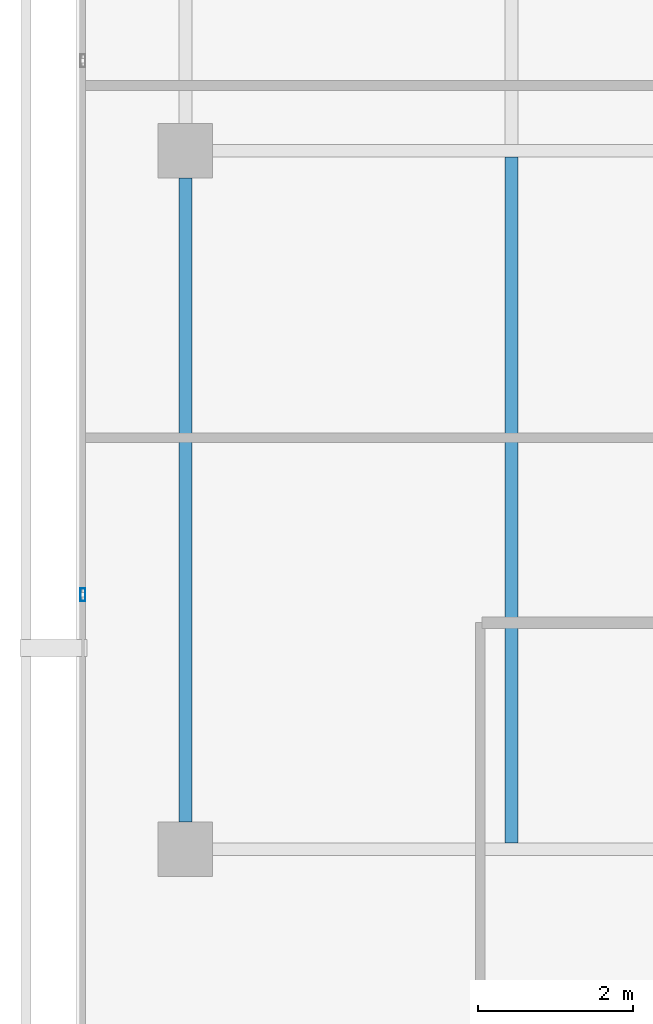
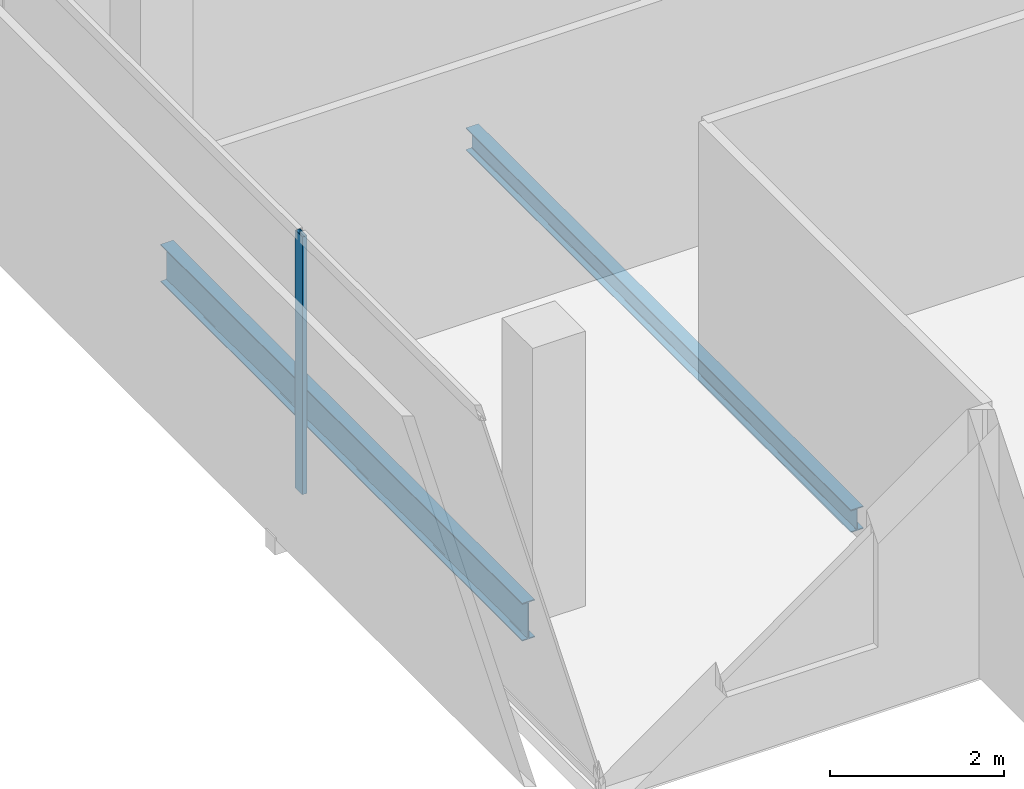
# One storey, part 4 of 25: 2 beams, 1 member, 1 element without a shape of its own.
"""IFC4 building model written with IfcOpenShell, lengths in metres."""

from ifc_helpers import new_model, si_unit, direction, frame, origin, origin_2d, place, context, subcontext, project, spatial, hollow_rectangle, i_section, extrude, material, layer, layer_set, material_profile, profile_set, type_object, element, aggregate, save


model = new_model("IFC4")

# Units and contexts
model_context = context("Model", 3, precision=1e-05, world=origin(), true_north=direction((0.0, 1.0)))
body_context = subcontext(model_context, "Body", "Model", "MODEL_VIEW")
ifc_project = project(units=[si_unit("LENGTHUNIT", "METRE"), si_unit("AREAUNIT", "SQUARE_METRE"), si_unit("VOLUMEUNIT", "CUBIC_METRE"), si_unit("PLANEANGLEUNIT", "RADIAN"), si_unit("MASSUNIT", "GRAM", prefix="KILO")], contexts=[model_context])

# Site, building, storey
site_placement = place(None, origin())
site = spatial("IfcSite", under=ifc_project, at=site_placement, CompositionType="ELEMENT")
building_placement = place(site_placement, origin())
building = spatial("IfcBuilding", under=site, at=building_placement, Name="Maruvema Waterfront Hotel and Observation Tower", CompositionType="ELEMENT")
storey_placement = place(building_placement, frame((0.0, 0.0, 297.14990234375)))
storey = spatial("IfcBuildingStorey", under=building, at=storey_placement, Name="L73", CompositionType="ELEMENT", Elevation=297.14990234375)

# Curtain wall, member
ifc_material_1 = material(Name="Anodised bronze aluminium and solar-control low-E IGU", Category="aluminium")
ifc_layer = layer(ifc_material_1, 0.159912109375, Name="Zone 3 Champagne Inner Thermal Curtain Wall System CW-04")
ifc_layer_set = layer_set([ifc_layer], Name="Anodised bronze aluminium and solar-control low-E IGU")
curtain_wall_type = type_object("IfcCurtainWallType", Name="Zone 3 Champagne Inner Thermal Curtain Wall System CW-04", PredefinedType="USERDEFINED", material=ifc_layer_set)
curtain_wall_placement = place(storey_placement, origin())
curtain_wall = element("IfcCurtainWall", 1, at=curtain_wall_placement, inside=storey, type_object=curtain_wall_type, Name="L73 Curtain Wall CW-L73-W", ObjectType="UNITISED CURTAIN WALL", PredefinedType="USERDEFINED")
ifc_material_2 = material(Name="Anodised architectural bronze aluminium", Category="aluminium")
ifc_material_profile_1 = material_profile(ifc_material_2, hollow_rectangle(XDim=0.06494140625, YDim=0.1650390625, WallThickness=0.00390625, at=origin_2d()), Name="ALU-M65x165")
ifc_profile_set_1 = profile_set([ifc_material_profile_1], Name="Anodised architectural bronze aluminium")
member_type = type_object("IfcMemberType", Name="Curtain Wall Primary Mullion ALU-M65x165", PredefinedType="MULLION", material=ifc_profile_set_1)
member_placement = place(storey_placement, frame((15.47998046875, 21.280029296875, 0.0), z_axis=(0.0, 0.0, 1.0), x_axis=(1.0, 0.0, 0.0)))
member = element("IfcMember", 2, at=member_placement, type_object=member_type, Name="CW-04 mullion 5", PredefinedType="MULLION", context=body_context, shape_type="SweptSolid", body=[
    extrude(hollow_rectangle(XDim=0.06494140625, YDim=0.1650390625, WallThickness=0.00390625, at=origin_2d()), origin(), (0.0, 0.0, 1.0), 3.610107421875),
])
aggregate(curtain_wall, [member])

# Beams
ifc_material_3 = material(Name="Steel ASTM A572 Grade 50", Category="steel")
ifc_material_profile_2 = material_profile(ifc_material_3, i_section(OverallWidth=0.166015625, OverallDepth=0.529052734375, WebThickness=0.009765625, FlangeThickness=0.013671875, FilletRadius=0.014892578125, at=origin_2d()), Name="W530x74.0")
ifc_profile_set_2 = profile_set([ifc_material_profile_2], Name="Steel ASTM A572 Grade 50")
beam_type_1 = type_object("IfcBeamType", Name="Primary Floor Girder W530x74.0", PredefinedType="BEAM", material=ifc_profile_set_2)
beam_1_placement = place(storey_placement, frame((16.800048828125, 18.35009765625, -0.50439453125), z_axis=(0.0, 1.0, 0.0), x_axis=(-1.0, 0.0, 0.0)))
element("IfcBeam", 3, at=beam_1_placement, inside=storey, type_object=beam_type_1, Name="L73 Floor Girder NS-01", PredefinedType="BEAM", context=body_context, shape_type="SweptSolid", body=[
    extrude(i_section(OverallWidth=0.166015625, OverallDepth=0.529052734375, WebThickness=0.009765625, FlangeThickness=0.013671875, FilletRadius=0.014892578125, at=origin_2d()), origin(), (0.0, 0.0, 1.0), 8.2998046875),
])
ifc_material_4 = material(Name="Steel ASTM A572 Grade 50", Category="steel")
ifc_material_profile_3 = material_profile(ifc_material_4, i_section(OverallWidth=0.1669921875, OverallDepth=0.31689453125, WebThickness=0.007568359375, FlangeThickness=0.01318359375, FilletRadius=0.012939453125, at=origin_2d()), Name="W310x52.0")
ifc_profile_set_3 = profile_set([ifc_material_profile_3], Name="Steel ASTM A572 Grade 50")
beam_type_2 = type_object("IfcBeamType", Name="Secondary Floor Joist W310x52.0", PredefinedType="JOIST", material=ifc_profile_set_3)
beam_2_placement = place(storey_placement, frame((21.0, 18.0830078125, -0.3984375), z_axis=(0.0, 1.0, 0.0), x_axis=(-1.0, 0.0, 0.0)))
element("IfcBeam", 4, at=beam_2_placement, inside=storey, type_object=beam_type_2, Name="L73 Secondary Floor Joist JS-01", PredefinedType="JOIST", context=body_context, shape_type="SweptSolid", body=[
    extrude(i_section(OverallWidth=0.1669921875, OverallDepth=0.31689453125, WebThickness=0.007568359375, FlangeThickness=0.01318359375, FilletRadius=0.012939453125, at=origin_2d()), origin(), (0.0, 0.0, 1.0), 8.833984375),
])

save(model, "model.ifc")
